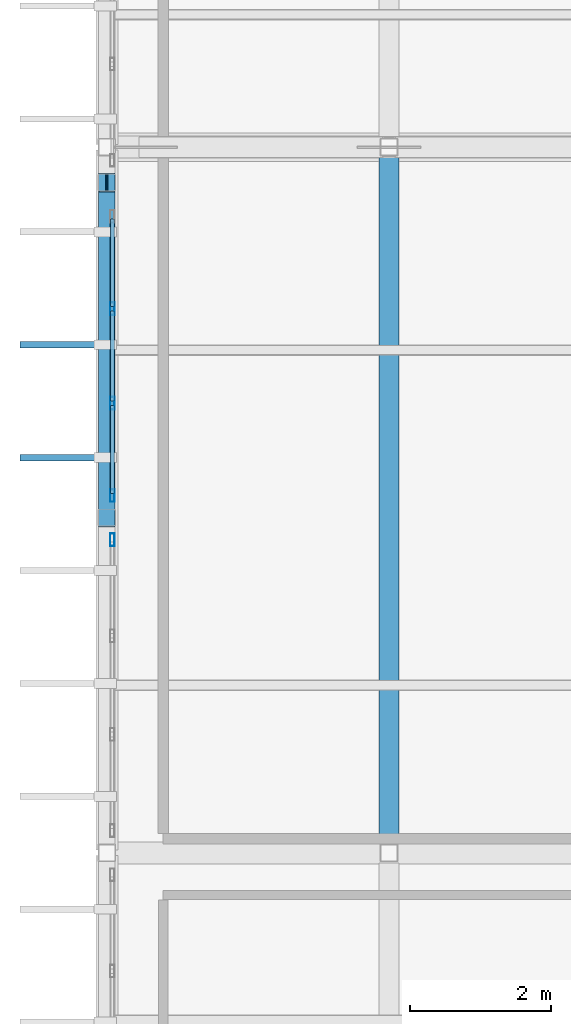
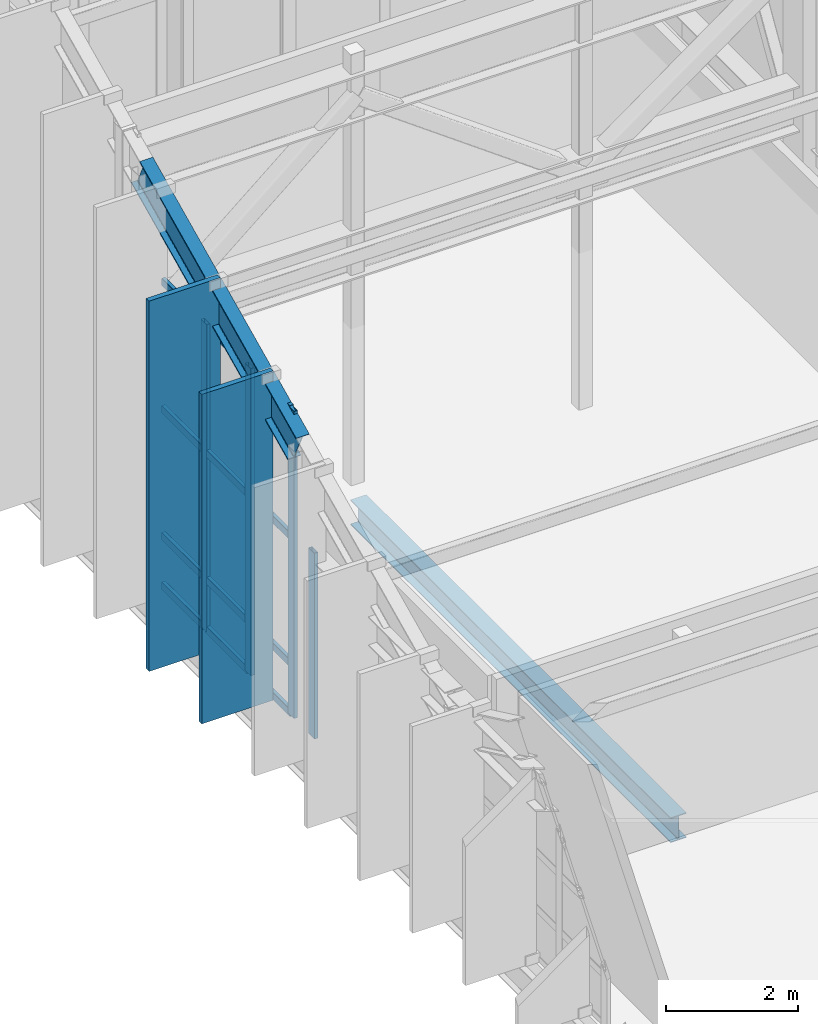
# One storey, part 20 of 68: 18 members, 2 beams, 2 elements without a shape of their own.
"""IFC4 building model written with IfcOpenShell, lengths in metres."""

from ifc_helpers import new_model, si_unit, direction, frame, origin, origin_2d, place, context, subcontext, project, spatial, rectangle, hollow_rectangle, i_section, extrude, material, material_profile, profile_set, type_object, element, aggregate, save


model = new_model("IFC4")

# Units and contexts
model_context = context("Model", 3, precision=1e-05, world=origin(), true_north=direction((0.0, 1.0)))
body_context = subcontext(model_context, "Body", "Model", "MODEL_VIEW")
ifc_project = project(units=[si_unit("LENGTHUNIT", "METRE"), si_unit("AREAUNIT", "SQUARE_METRE"), si_unit("VOLUMEUNIT", "CUBIC_METRE"), si_unit("PLANEANGLEUNIT", "RADIAN"), si_unit("MASSUNIT", "GRAM", prefix="KILO")], contexts=[model_context])

# Site, building, storey
site_placement = place(None, origin())
site = spatial("IfcSite", under=ifc_project, at=site_placement, CompositionType="ELEMENT")
building_placement = place(site_placement, origin())
building = spatial("IfcBuilding", under=site, at=building_placement, Name="Miravela Opera House", CompositionType="ELEMENT")
storey_placement = place(building_placement, frame((0.0, 0.0, 21.760009765625)))
storey = spatial("IfcBuildingStorey", under=building, at=storey_placement, Name="L05", CompositionType="ELEMENT", Elevation=21.760009765625)

# Curtain wall, member
ifc_material_1 = material(Name="Anodised architectural bronze aluminium 6063-T6", Category="aluminium")
curtain_wall_type = type_object("IfcCurtainWallType", Name="ARC-CW-03", PredefinedType="NOTDEFINED", material=ifc_material_1)
curtain_wall_1_placement = place(storey_placement, origin())
curtain_wall_1 = element("IfcCurtainWall", 1, at=curtain_wall_1_placement, inside=storey, type_object=curtain_wall_type, Name="Cantilever West Wrapper Glazing B5 CW-L05-051", PredefinedType="NOTDEFINED")
ifc_material_profile_1 = material_profile(ifc_material_1, hollow_rectangle(XDim=0.06494140625, YDim=0.179931640625, WallThickness=0.00390625, InnerFilletRadius=0.001953125, OuterFilletRadius=0.00390625, at=origin_2d()), Name="CWM-65X180")
ifc_profile_set_1 = profile_set([ifc_material_profile_1])
member_type_1 = type_object("IfcMemberType", Name="ARC-CWM-180", PredefinedType="MULLION", material=ifc_profile_set_1)
member_1_placement = place(storey_placement, frame((15.080078125, 60.4375, 0.0), z_axis=(0.0, 0.0, 1.0), x_axis=(-1.0, 0.0, 0.0)))
member_1 = element("IfcMember", 2, at=member_1_placement, type_object=member_type_1, Name="CW-03 mullion 4", PredefinedType="MULLION", context=body_context, shape_type="SweptSolid", body=[
    extrude(hollow_rectangle(XDim=0.06494140625, YDim=0.179931640625, WallThickness=0.00390625, InnerFilletRadius=0.001953125, OuterFilletRadius=0.00390625, at=origin_2d()), origin(), (0.0, 0.0, 1.0), 3.442626953125),
])
aggregate(curtain_wall_1, [member_1])

# Curtain wall, members
curtain_wall_2_placement = place(storey_placement, origin())
curtain_wall_2 = element("IfcCurtainWall", 3, at=curtain_wall_2_placement, inside=storey, type_object=curtain_wall_type, Name="Cantilever West Wrapper Glazing B6 CW-L05-052", PredefinedType="NOTDEFINED")
member_2_placement = place(storey_placement, frame((15.080078125, 61.0625, 0.0), z_axis=(0.0, 0.0, 1.0), x_axis=(-1.0, 0.0, 0.0)))
member_2 = element("IfcMember", 4, at=member_2_placement, type_object=member_type_1, Name="CW-03 mullion 1", PredefinedType="MULLION", context=body_context, shape_type="SweptSolid", body=[
    extrude(hollow_rectangle(XDim=0.06494140625, YDim=0.179931640625, WallThickness=0.00390625, InnerFilletRadius=0.001953125, OuterFilletRadius=0.00390625, at=origin_2d()), origin(), (0.0, 0.0, 1.0), 5.692626953125),
])
member_3_placement = place(storey_placement, frame((15.080078125, 62.3701171875, 0.0), z_axis=(0.0, 0.0, 1.0), x_axis=(-1.0, 0.0, 0.0)))
member_3 = element("IfcMember", 5, at=member_3_placement, type_object=member_type_1, Name="CW-03 mullion 2", PredefinedType="MULLION", context=body_context, shape_type="SweptSolid", body=[
    extrude(hollow_rectangle(XDim=0.06494140625, YDim=0.179931640625, WallThickness=0.00390625, InnerFilletRadius=0.001953125, OuterFilletRadius=0.00390625, at=origin_2d()), origin(), (0.0, 0.0, 1.0), 5.692626953125),
])
member_4_placement = place(storey_placement, frame((15.080078125, 63.7099609375, 0.0), z_axis=(0.0, 0.0, 1.0), x_axis=(-1.0, 0.0, 0.0)))
member_4 = element("IfcMember", 6, at=member_4_placement, type_object=member_type_1, Name="CW-03 mullion 3", PredefinedType="MULLION", context=body_context, shape_type="SweptSolid", body=[
    extrude(hollow_rectangle(XDim=0.06494140625, YDim=0.179931640625, WallThickness=0.00390625, InnerFilletRadius=0.001953125, OuterFilletRadius=0.00390625, at=origin_2d()), origin(), (0.0, 0.0, 1.0), 5.692626953125),
])
ifc_material_profile_2 = material_profile(ifc_material_1, hollow_rectangle(XDim=0.06494140625, YDim=0.139892578125, WallThickness=0.00390625, InnerFilletRadius=0.001953125, OuterFilletRadius=0.00390625, at=origin_2d()), Name="CWT-65X140")
ifc_profile_set_2 = profile_set([ifc_material_profile_2])
member_type_2 = type_object("IfcMemberType", Name="ARC-CWT-140", PredefinedType="USERDEFINED", material=ifc_profile_set_2)
member_5_placement = place(storey_placement, frame((15.080078125, 61.094970703125, 0.032470703125), z_axis=(0.0, 1.0, 0.0), x_axis=(-1.0, 0.0, 0.0)))
member_5 = element("IfcMember", 7, at=member_5_placement, type_object=member_type_2, Name="CW-03 transom 1.1", ObjectType="TRANSOM", PredefinedType="USERDEFINED", context=body_context, shape_type="SweptSolid", body=[
    extrude(hollow_rectangle(XDim=0.06494140625, YDim=0.139892578125, WallThickness=0.00390625, InnerFilletRadius=0.001953125, OuterFilletRadius=0.00390625, at=origin_2d()), origin(), (0.0, 0.0, 1.0), 1.242431640625),
])
member_6_placement = place(storey_placement, frame((15.080078125, 61.094970703125, 0.949951171875), z_axis=(0.0, 1.0, 0.0), x_axis=(-1.0, 0.0, 0.0)))
member_6 = element("IfcMember", 8, at=member_6_placement, type_object=member_type_2, Name="CW-03 transom 1.2", ObjectType="TRANSOM", PredefinedType="USERDEFINED", context=body_context, shape_type="SweptSolid", body=[
    extrude(hollow_rectangle(XDim=0.06494140625, YDim=0.139892578125, WallThickness=0.00390625, InnerFilletRadius=0.001953125, OuterFilletRadius=0.00390625, at=origin_2d()), origin(), (0.0, 0.0, 1.0), 1.242431640625),
])
member_7_placement = place(storey_placement, frame((15.080078125, 61.094970703125, 3.3017578125), z_axis=(0.0, 1.0, 0.0), x_axis=(-1.0, 0.0, 0.0)))
member_7 = element("IfcMember", 9, at=member_7_placement, type_object=member_type_2, Name="CW-03 transom 1.3", ObjectType="TRANSOM", PredefinedType="USERDEFINED", context=body_context, shape_type="SweptSolid", body=[
    extrude(hollow_rectangle(XDim=0.06494140625, YDim=0.139892578125, WallThickness=0.00390625, InnerFilletRadius=0.001953125, OuterFilletRadius=0.00390625, at=origin_2d()), origin(), (0.0, 0.0, 1.0), 1.242431640625),
])
member_8_placement = place(storey_placement, frame((15.080078125, 61.094970703125, 5.66015625), z_axis=(0.0, 1.0, 0.0), x_axis=(-1.0, 0.0, 0.0)))
member_8 = element("IfcMember", 10, at=member_8_placement, type_object=member_type_2, Name="CW-03 transom 1.4", ObjectType="TRANSOM", PredefinedType="USERDEFINED", context=body_context, shape_type="SweptSolid", body=[
    extrude(hollow_rectangle(XDim=0.06494140625, YDim=0.139892578125, WallThickness=0.00390625, InnerFilletRadius=0.001953125, OuterFilletRadius=0.00390625, at=origin_2d()), origin(), (0.0, 0.0, 1.0), 1.242431640625),
])
member_9_placement = place(storey_placement, frame((15.080078125, 62.402587890625, 0.032470703125), z_axis=(0.0, 1.0, 0.0), x_axis=(-1.0, 0.0, 0.0)))
member_9 = element("IfcMember", 11, at=member_9_placement, type_object=member_type_2, Name="CW-03 transom 2.1", ObjectType="TRANSOM", PredefinedType="USERDEFINED", context=body_context, shape_type="SweptSolid", body=[
    extrude(hollow_rectangle(XDim=0.06494140625, YDim=0.139892578125, WallThickness=0.00390625, InnerFilletRadius=0.001953125, OuterFilletRadius=0.00390625, at=origin_2d()), origin(), (0.0, 0.0, 1.0), 1.27490234375),
])
member_10_placement = place(storey_placement, frame((15.080078125, 62.402587890625, 0.949951171875), z_axis=(0.0, 1.0, 0.0), x_axis=(-1.0, 0.0, 0.0)))
member_10 = element("IfcMember", 12, at=member_10_placement, type_object=member_type_2, Name="CW-03 transom 2.2", ObjectType="TRANSOM", PredefinedType="USERDEFINED", context=body_context, shape_type="SweptSolid", body=[
    extrude(hollow_rectangle(XDim=0.06494140625, YDim=0.139892578125, WallThickness=0.00390625, InnerFilletRadius=0.001953125, OuterFilletRadius=0.00390625, at=origin_2d()), origin(), (0.0, 0.0, 1.0), 1.27490234375),
])
member_11_placement = place(storey_placement, frame((15.080078125, 62.402587890625, 3.3017578125), z_axis=(0.0, 1.0, 0.0), x_axis=(-1.0, 0.0, 0.0)))
member_11 = element("IfcMember", 13, at=member_11_placement, type_object=member_type_2, Name="CW-03 transom 2.3", ObjectType="TRANSOM", PredefinedType="USERDEFINED", context=body_context, shape_type="SweptSolid", body=[
    extrude(hollow_rectangle(XDim=0.06494140625, YDim=0.139892578125, WallThickness=0.00390625, InnerFilletRadius=0.001953125, OuterFilletRadius=0.00390625, at=origin_2d()), origin(), (0.0, 0.0, 1.0), 1.27490234375),
])
member_12_placement = place(storey_placement, frame((15.080078125, 62.402587890625, 5.66015625), z_axis=(0.0, 1.0, 0.0), x_axis=(-1.0, 0.0, 0.0)))
member_12 = element("IfcMember", 14, at=member_12_placement, type_object=member_type_2, Name="CW-03 transom 2.4", ObjectType="TRANSOM", PredefinedType="USERDEFINED", context=body_context, shape_type="SweptSolid", body=[
    extrude(hollow_rectangle(XDim=0.06494140625, YDim=0.139892578125, WallThickness=0.00390625, InnerFilletRadius=0.001953125, OuterFilletRadius=0.00390625, at=origin_2d()), origin(), (0.0, 0.0, 1.0), 1.27490234375),
])
member_13_placement = place(storey_placement, frame((15.080078125, 63.742431640625, 0.032470703125), z_axis=(0.0, 1.0, 0.0), x_axis=(-1.0, 0.0, 0.0)))
member_13 = element("IfcMember", 15, at=member_13_placement, type_object=member_type_2, Name="CW-03 transom 3.1", ObjectType="TRANSOM", PredefinedType="USERDEFINED", context=body_context, shape_type="SweptSolid", body=[
    extrude(hollow_rectangle(XDim=0.06494140625, YDim=0.139892578125, WallThickness=0.00390625, InnerFilletRadius=0.001953125, OuterFilletRadius=0.00390625, at=origin_2d()), origin(), (0.0, 0.0, 1.0), 1.24267578125),
])
member_14_placement = place(storey_placement, frame((15.080078125, 63.742431640625, 0.949951171875), z_axis=(0.0, 1.0, 0.0), x_axis=(-1.0, 0.0, 0.0)))
member_14 = element("IfcMember", 16, at=member_14_placement, type_object=member_type_2, Name="CW-03 transom 3.2", ObjectType="TRANSOM", PredefinedType="USERDEFINED", context=body_context, shape_type="SweptSolid", body=[
    extrude(hollow_rectangle(XDim=0.06494140625, YDim=0.139892578125, WallThickness=0.00390625, InnerFilletRadius=0.001953125, OuterFilletRadius=0.00390625, at=origin_2d()), origin(), (0.0, 0.0, 1.0), 1.24267578125),
])
member_15_placement = place(storey_placement, frame((15.080078125, 63.742431640625, 3.3017578125), z_axis=(0.0, 1.0, 0.0), x_axis=(-1.0, 0.0, 0.0)))
member_15 = element("IfcMember", 17, at=member_15_placement, type_object=member_type_2, Name="CW-03 transom 3.3", ObjectType="TRANSOM", PredefinedType="USERDEFINED", context=body_context, shape_type="SweptSolid", body=[
    extrude(hollow_rectangle(XDim=0.06494140625, YDim=0.139892578125, WallThickness=0.00390625, InnerFilletRadius=0.001953125, OuterFilletRadius=0.00390625, at=origin_2d()), origin(), (0.0, 0.0, 1.0), 1.24267578125),
])
member_16_placement = place(storey_placement, frame((15.080078125, 63.742431640625, 5.66015625), z_axis=(0.0, 1.0, 0.0), x_axis=(-1.0, 0.0, 0.0)))
member_16 = element("IfcMember", 18, at=member_16_placement, type_object=member_type_2, Name="CW-03 transom 3.4", ObjectType="TRANSOM", PredefinedType="USERDEFINED", context=body_context, shape_type="SweptSolid", body=[
    extrude(hollow_rectangle(XDim=0.06494140625, YDim=0.139892578125, WallThickness=0.00390625, InnerFilletRadius=0.001953125, OuterFilletRadius=0.00390625, at=origin_2d()), origin(), (0.0, 0.0, 1.0), 1.24267578125),
])
aggregate(curtain_wall_2, [member_2, member_3, member_4, member_5, member_6, member_7, member_8, member_9, member_10, member_11, member_12, member_13, member_14, member_15, member_16])

# Members
ifc_material_profile_3 = material_profile(ifc_material_1, rectangle(XDim=0.090087890625, YDim=1.25, at=origin_2d()), Name="FIN-1250X90")
ifc_profile_set_3 = profile_set([ifc_material_profile_3])
member_type_3 = type_object("IfcMemberType", Name="ARC-FIN-1250", PredefinedType="USERDEFINED", material=ifc_profile_set_3)
member_17_placement = place(storey_placement, frame((14.39501953125, 61.60009765625, 0.0), z_axis=(0.0, 0.0, 1.0), x_axis=(0.0, 1.0, 0.0)))
element("IfcMember", 19, at=member_17_placement, inside=storey, type_object=member_type_3, Name="Auditorium Wrapper Bronze Solar Fin FIN-L05-WEST-0156", ObjectType="FIN", PredefinedType="USERDEFINED", context=body_context, shape_type="SweptSolid", body=[
    extrude(rectangle(XDim=0.090087890625, YDim=1.25, at=origin_2d()), origin(), (0.0, 0.0, 1.0), 6.1025390625),
])
member_18_placement = place(storey_placement, frame((14.39501953125, 63.199951171875, 0.0), z_axis=(0.0, 0.0, 1.0), x_axis=(0.0, 1.0, 0.0)))
element("IfcMember", 20, at=member_18_placement, inside=storey, type_object=member_type_3, Name="Auditorium Wrapper Bronze Solar Fin FIN-L05-WEST-0157", ObjectType="FIN", PredefinedType="USERDEFINED", context=body_context, shape_type="SweptSolid", body=[
    extrude(rectangle(XDim=0.090087890625, YDim=1.25, at=origin_2d()), origin(), (0.0, 0.0, 1.0), 6.860595703125),
])

# Beams
ifc_material_2 = material(Name="Structural steel ASTM A992 Gr. 50", Category="steel")
ifc_material_profile_4 = material_profile(ifc_material_2, i_section(OverallWidth=0.280029296875, OverallDepth=0.462890625, WebThickness=0.0107421875, FlangeThickness=0.017333984375, FilletRadius=0.014892578125, at=origin_2d()), Name="W460X113")
ifc_profile_set_4 = profile_set([ifc_material_profile_4])
beam_type_1 = type_object("IfcBeamType", Name="STR-BM-W460X113", PredefinedType="BEAM", material=ifc_profile_set_4)
beam_1_placement = place(storey_placement, frame((19.0, 56.14111328125, -0.471435546875), z_axis=(0.0, 1.0, 0.0), x_axis=(-1.0, 0.0, 0.0)))
element("IfcBeam", 21, at=beam_1_placement, inside=storey, type_object=beam_type_1, Name="Cantilever Overhang Beam L05 X=19", PredefinedType="BEAM", context=body_context, shape_type="SweptSolid", body=[
    extrude(i_section(OverallWidth=0.280029296875, OverallDepth=0.462890625, WebThickness=0.0107421875, FlangeThickness=0.017333984375, FilletRadius=0.014892578125, at=origin_2d()), origin(), (0.0, 0.0, 1.0), 9.7177734375),
])
ifc_material_profile_5 = material_profile(ifc_material_2, i_section(OverallWidth=0.22998046875, OverallDepth=0.616943359375, WebThickness=0.01318359375, FlangeThickness=0.022216796875, FilletRadius=0.01806640625, at=origin_2d()), Name="W610X140")
ifc_profile_set_5 = profile_set([ifc_material_profile_5])
beam_type_2 = type_object("IfcBeamType", Name="STR-BM-W610X140", PredefinedType="BEAM", material=ifc_profile_set_5)
beam_2_placement = place(storey_placement, frame((15.0, 60.75, 5.189453125), z_axis=(0.0, 0.903737838894, 0.428086344739), x_axis=(-1.0, 0.0, 0.0)))
element("IfcBeam", 22, at=beam_2_placement, inside=storey, type_object=beam_type_2, Name="V-Crest Roof Rafter Girder X=15 Seg 6", PredefinedType="BEAM", context=body_context, shape_type="SweptSolid", body=[
    extrude(i_section(OverallWidth=0.22998046875, OverallDepth=0.616943359375, WebThickness=0.01318359375, FlangeThickness=0.022216796875, FilletRadius=0.01806640625, at=origin_2d()), origin(), (0.0, 0.0, 1.0), 5.255859375),
])

save(model, "model.ifc")
